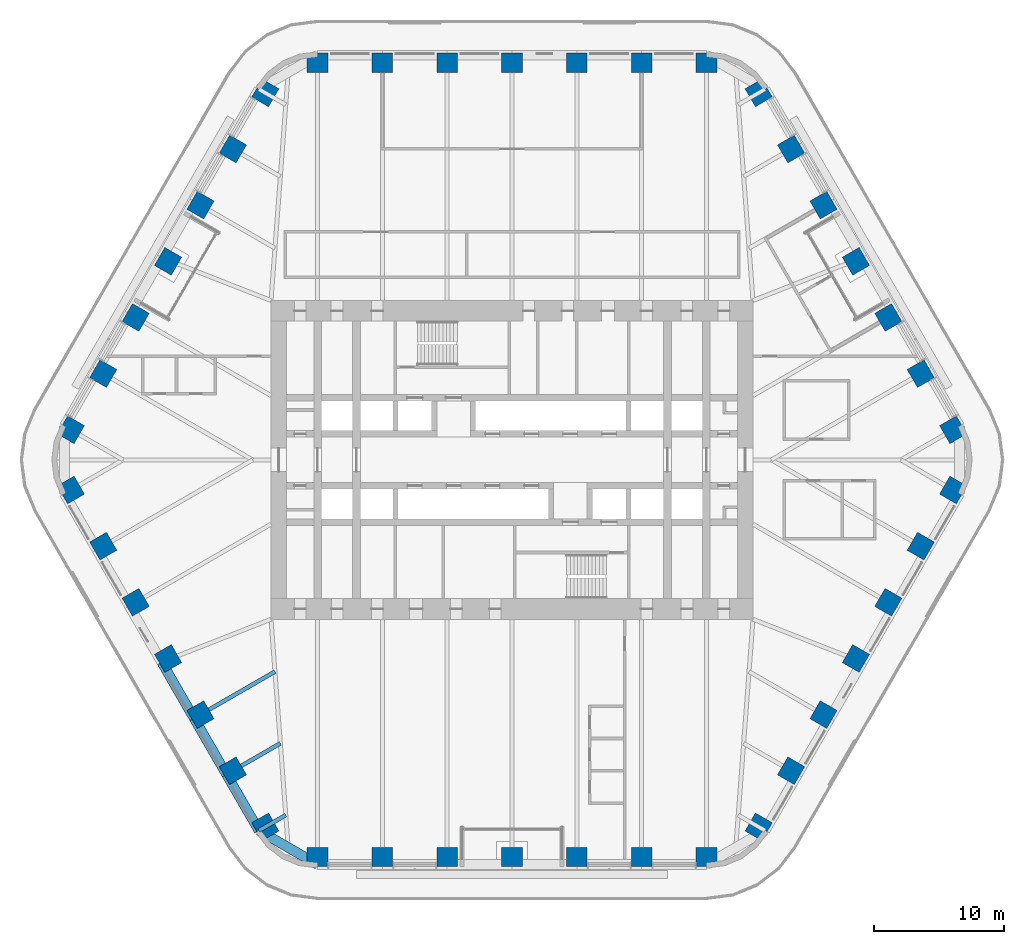
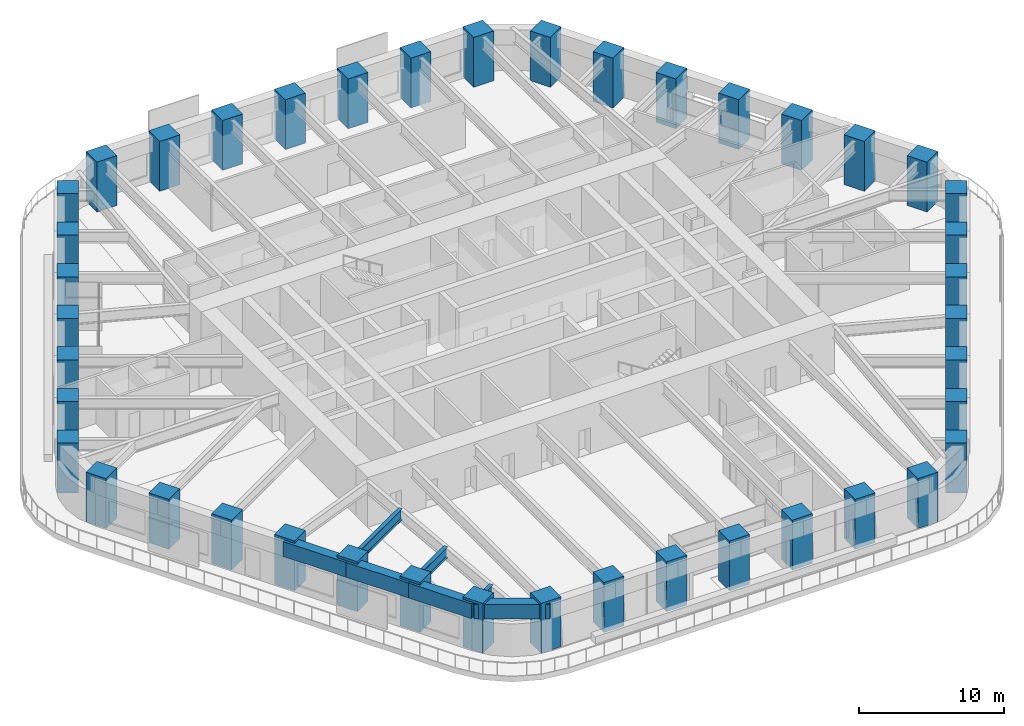
# One storey, part 1 of 24: 42 columns, 7 beams.
"""IFC4 building model written with IfcOpenShell, lengths in metres."""

from ifc_helpers import new_model, si_unit, direction, frame, origin, origin_2d, place, context, subcontext, project, spatial, rectangle, i_section, extrude, material, material_profile, profile_set, type_object, element, save


model = new_model("IFC4")

# Units and contexts
model_context = context("Model", 3, precision=1e-05, world=origin(), true_north=direction((0.0, 1.0)))
body_context = subcontext(model_context, "Body", "Model", "MODEL_VIEW")
ifc_project = project(units=[si_unit("LENGTHUNIT", "METRE"), si_unit("AREAUNIT", "SQUARE_METRE"), si_unit("VOLUMEUNIT", "CUBIC_METRE"), si_unit("PLANEANGLEUNIT", "RADIAN"), si_unit("MASSUNIT", "GRAM", prefix="KILO")], contexts=[model_context])

# Site, building, storey
site_placement = place(None, origin())
site = spatial("IfcSite", under=ifc_project, at=site_placement, CompositionType="ELEMENT")
building_placement = place(site_placement, origin())
building = spatial("IfcBuilding", under=site, at=building_placement, Name="Tarfa Lantern Tower", CompositionType="ELEMENT")
storey_placement = place(building_placement, frame((0.0, 0.0, 144.699951171875)))
storey = spatial("IfcBuildingStorey", under=building, at=storey_placement, Name="L32", CompositionType="ELEMENT", Elevation=144.699951171875)

# Columns
ifc_material_1 = material(Name="Concrete C80/95", Category="concrete")
ifc_material_profile_1 = material_profile(ifc_material_1, rectangle(XDim=1.60009765625, YDim=1.5, at=origin_2d()), Name="RC 1600x1500")
ifc_profile_set_1 = profile_set([ifc_material_profile_1], Name="Concrete C80/95")
column_type = type_object("IfcColumnType", Name="TC6 RC 1600x1500", PredefinedType="COLUMN", material=ifc_profile_set_1)
for number, where, z_axis, x_axis, name in (
    (1, (34.04931640625, 2.324951171875, 0.0), (0.0, 0.0, 1.0), (-0.5, 0.866025403784, 0.0), "Tube column NE0"),
    (2, (31.54736328125, 6.658447265625, 0.0), (0.0, 0.0, 1.0), (-0.5, 0.866025403784, 0.0), "Tube column NE1"),
    (3, (29.04541015625, 10.99169921875, 0.0), (0.0, 0.0, 1.0), (-0.5, 0.866025403784, 0.0), "Tube column NE2"),
    (4, (26.543701171875, 15.324951171875, 0.0), (0.0, 0.0, 1.0), (-0.5, 0.866025403784, 0.0), "Tube column NE3"),
    (5, (24.041748046875, 19.658447265625, 0.0), (0.0, 0.0, 1.0), (-0.5, 0.866025403784, 0.0), "Tube column NE4"),
    (6, (21.5400390625, 23.99169921875, 0.0), (0.0, 0.0, 1.0), (-0.5, 0.866025403784, 0.0), "Tube column NE5"),
    (7, (19.0380859375, 28.324951171875, 0.0), (0.0, 0.0, 1.0), (-0.5, 0.866025403784, 0.0), "Tube column NE6"),
    (8, (15.010986328125, 30.64990234375, 0.0), (0.0, 0.0, 1.0), (-1.0, 0.0, 0.0), "Tube column N0"),
    (9, (10.00732421875, 30.64990234375, 0.0), (0.0, 0.0, 1.0), (-1.0, 0.0, 0.0), "Tube column N1"),
    (10, (5.003662109375, 30.64990234375, 0.0), (0.0, 0.0, 1.0), (-1.0, 0.0, 0.0), "Tube column N2"),
    (11, (0.0, 30.64990234375, 0.0), (0.0, 0.0, 1.0), (-1.0, 0.0, 0.0), "Tube column N3"),
    (12, (-5.003662109375, 30.64990234375, 0.0), (0.0, 0.0, 1.0), (-1.0, 0.0, 0.0), "Tube column N4"),
    (13, (-10.00732421875, 30.64990234375, 0.0), (0.0, 0.0, 1.0), (-1.0, 0.0, 0.0), "Tube column N5"),
    (14, (-15.010986328125, 30.64990234375, 0.0), (0.0, 0.0, 1.0), (-1.0, 0.0, 0.0), "Tube column N6"),
    (15, (-19.0380859375, 28.324951171875, 0.0), (0.0, 0.0, 1.0), (-0.5, -0.866025403784, 0.0), "Tube column NW0"),
    (16, (-21.5400390625, 23.99169921875, 0.0), (0.0, 0.0, 1.0), (-0.5, -0.866025403784, 0.0), "Tube column NW1"),
    (17, (-24.041748046875, 19.658447265625, 0.0), (0.0, 0.0, 1.0), (-0.5, -0.866025403784, 0.0), "Tube column NW2"),
    (18, (-26.543701171875, 15.324951171875, 0.0), (0.0, 0.0, 1.0), (-0.5, -0.866025403784, 0.0), "Tube column NW3"),
    (19, (-29.04541015625, 10.99169921875, 0.0), (0.0, 0.0, 1.0), (-0.5, -0.866025403784, 0.0), "Tube column NW4"),
    (20, (-31.54736328125, 6.658447265625, 0.0), (0.0, 0.0, 1.0), (-0.5, -0.866025403784, 0.0), "Tube column NW5"),
    (21, (-34.04931640625, 2.324951171875, 0.0), (0.0, 0.0, 1.0), (-0.5, -0.866025403784, 0.0), "Tube column NW6"),
    (22, (-34.04931640625, -2.324951171875, 0.0), (0.0, 0.0, 1.0), (0.5, -0.866025403784, 0.0), "Tube column SW0"),
    (23, (-31.54736328125, -6.658447265625, 0.0), (0.0, 0.0, 1.0), (0.5, -0.866025403784, 0.0), "Tube column SW1"),
    (24, (-29.04541015625, -10.99169921875, 0.0), (0.0, 0.0, 1.0), (0.5, -0.866025403784, 0.0), "Tube column SW2"),
    (25, (-26.543701171875, -15.324951171875, 0.0), (0.0, 0.0, 1.0), (0.5, -0.866025403784, 0.0), "Tube column SW3"),
    (26, (-24.041748046875, -19.658447265625, 0.0), (0.0, 0.0, 1.0), (0.5, -0.866025403784, 0.0), "Tube column SW4"),
    (27, (-21.5400390625, -23.99169921875, 0.0), (0.0, 0.0, 1.0), (0.5, -0.866025403784, 0.0), "Tube column SW5"),
    (28, (-19.0380859375, -28.324951171875, 0.0), (0.0, 0.0, 1.0), (0.5, -0.866025403784, 0.0), "Tube column SW6"),
    (29, (-15.010986328125, -30.64990234375, 0.0), (0.0, 0.0, 1.0), (1.0, 0.0, 0.0), "Tube column S0"),
    (30, (-10.00732421875, -30.64990234375, 0.0), (0.0, 0.0, 1.0), (1.0, 0.0, 0.0), "Tube column S1"),
    (31, (-5.003662109375, -30.64990234375, 0.0), (0.0, 0.0, 1.0), (1.0, 0.0, 0.0), "Tube column S2"),
    (32, (0.0, -30.64990234375, 0.0), (0.0, 0.0, 1.0), (1.0, 0.0, 0.0), "Tube column S3"),
    (33, (5.003662109375, -30.64990234375, 0.0), (0.0, 0.0, 1.0), (1.0, 0.0, 0.0), "Tube column S4"),
    (34, (10.00732421875, -30.64990234375, 0.0), (0.0, 0.0, 1.0), (1.0, 0.0, 0.0), "Tube column S5"),
    (35, (15.010986328125, -30.64990234375, 0.0), (0.0, 0.0, 1.0), (1.0, 0.0, 0.0), "Tube column S6"),
    (36, (19.0380859375, -28.324951171875, 0.0), (0.0, 0.0, 1.0), (0.5, 0.866025403784, 0.0), "Tube column SE0"),
    (37, (21.5400390625, -23.99169921875, 0.0), (0.0, 0.0, 1.0), (0.5, 0.866025403784, 0.0), "Tube column SE1"),
    (38, (24.041748046875, -19.658447265625, 0.0), (0.0, 0.0, 1.0), (0.5, 0.866025403784, 0.0), "Tube column SE2"),
    (39, (26.543701171875, -15.324951171875, 0.0), (0.0, 0.0, 1.0), (0.5, 0.866025403784, 0.0), "Tube column SE3"),
    (40, (29.04541015625, -10.99169921875, 0.0), (0.0, 0.0, 1.0), (0.5, 0.866025403784, 0.0), "Tube column SE4"),
    (41, (31.54736328125, -6.658447265625, 0.0), (0.0, 0.0, 1.0), (0.5, 0.866025403784, 0.0), "Tube column SE5"),
    (42, (34.04931640625, -2.324951171875, 0.0), (0.0, 0.0, 1.0), (0.5, 0.866025403784, 0.0), "Tube column SE6"),
):
    element("IfcColumn", number, at=place(storey_placement, frame(where, z_axis=z_axis, x_axis=x_axis)), inside=storey, type_object=column_type, Name=name, PredefinedType="COLUMN", context=body_context, shape_type="SweptSolid", body=[
        extrude(rectangle(XDim=1.60009765625, YDim=1.5, at=origin_2d()), origin(), (0.0, 0.0, 1.0), 4.199951171875),
    ])

# Beams
ifc_material_profile_2 = material_profile(ifc_material_1, rectangle(XDim=0.75, YDim=1.25, at=origin_2d()), Name="RC 750x1250")
ifc_profile_set_2 = profile_set([ifc_material_profile_2], Name="Concrete C80/95")
beam_type_1 = type_object("IfcBeamType", Name="EB2 RC 750x1250", PredefinedType="SPANDREL", material=ifc_profile_set_2)
for number, where, z_axis, x_axis, name in (
    (43, (-27.037353515625, -15.610107421875, 3.375), (0.500022324899, -0.866012514114, 0.0), (0.866012514114, 0.500022324899, 0.0), "Edge beam SW3"),
    (44, (-24.535400390625, -19.943359375, 3.375), (0.49998573051, -0.866033642122, 0.0), (0.866033642122, 0.49998573051, 0.0), "Edge beam SW4"),
):
    element("IfcBeam", number, at=place(storey_placement, frame(where, z_axis=z_axis, x_axis=x_axis)), inside=storey, type_object=beam_type_1, Name=name, PredefinedType="SPANDREL", context=body_context, shape_type="SweptSolid", body=[
        extrude(rectangle(XDim=0.75, YDim=1.25, at=origin_2d()), origin(), (0.0, 0.0, 1.0), 5.003662109375),
    ])
beam_1_placement = place(storey_placement, frame((-22.03369140625, -24.276611328125, 3.375), z_axis=(0.500001197378, -0.866024712477, 0.0), x_axis=(0.866024712477, 0.500001197378, 0.0)))
element("IfcBeam", 45, at=beam_1_placement, inside=storey, type_object=beam_type_1, Name="Edge beam SW5", PredefinedType="SPANDREL", context=body_context, shape_type="SweptSolid", body=[
    extrude(rectangle(XDim=0.75, YDim=1.25, at=origin_2d()), origin(), (0.0, 0.0, 1.0), 5.00390625),
])
beam_2_placement = place(storey_placement, frame((-19.53173828125, -28.610107421875, 3.375), z_axis=(0.86604150238, -0.499972115377, 0.0), x_axis=(0.499972115377, 0.86604150238, 0.0)))
element("IfcBeam", 46, at=beam_2_placement, inside=storey, type_object=beam_type_1, Name="Edge beam SW6", PredefinedType="SPANDREL", context=body_context, shape_type="SweptSolid", body=[
    extrude(rectangle(XDim=0.75, YDim=1.25, at=origin_2d()), origin(), (0.0, 0.0, 1.0), 5.219970703125),
])
ifc_material_2 = material(Name="Steel S460M", Category="steel")
ifc_material_profile_3 = material_profile(ifc_material_2, i_section(OverallWidth=0.305419921875, OverallDepth=0.91845703125, WebThickness=0.017333984375, FlangeThickness=0.02783203125, FilletRadius=0.01904296875, at=origin_2d()), Name="UB914x305x253")
ifc_profile_set_3 = profile_set([ifc_material_profile_3], Name="Steel S460M")
beam_type_2 = type_object("IfcBeamType", Name="UB914x305x253", PredefinedType="BEAM", material=ifc_profile_set_3)
beam_3_placement = place(storey_placement, frame((-24.535400390625, -19.943359375, 3.540771484375), z_axis=(0.86602647304, 0.499998147991, 0.0), x_axis=(-0.499998147991, 0.86602647304, 0.0)))
element("IfcBeam", 47, at=beam_3_placement, inside=storey, type_object=beam_type_2, Name="Floor beam SW4", PredefinedType="BEAM", context=body_context, shape_type="SweptSolid", body=[
    extrude(i_section(OverallWidth=0.305419921875, OverallDepth=0.91845703125, WebThickness=0.017333984375, FlangeThickness=0.02783203125, FilletRadius=0.01904296875, at=origin_2d()), origin(), (0.0, 0.0, 1.0), 7.20556640625),
])
beam_4_placement = place(storey_placement, frame((-22.03369140625, -24.276611328125, 3.540771484375), z_axis=(0.866030550462, 0.499991085587, 0.0), x_axis=(-0.499991085587, 0.866030550462, 0.0)))
element("IfcBeam", 48, at=beam_4_placement, inside=storey, type_object=beam_type_2, Name="Floor beam SW5", PredefinedType="BEAM", context=body_context, shape_type="SweptSolid", body=[
    extrude(i_section(OverallWidth=0.305419921875, OverallDepth=0.91845703125, WebThickness=0.017333984375, FlangeThickness=0.02783203125, FilletRadius=0.01904296875, at=origin_2d()), origin(), (0.0, 0.0, 1.0), 4.798828125),
])
beam_5_placement = place(storey_placement, frame((-19.53173828125, -28.610107421875, 3.540771484375), z_axis=(0.865998640954, 0.500046351717, 0.0), x_axis=(-0.500046351717, 0.865998640954, 0.0)))
element("IfcBeam", 49, at=beam_5_placement, inside=storey, type_object=beam_type_2, Name="Floor beam SW6", PredefinedType="BEAM", context=body_context, shape_type="SweptSolid", body=[
    extrude(i_section(OverallWidth=0.305419921875, OverallDepth=0.91845703125, WebThickness=0.017333984375, FlangeThickness=0.02783203125, FilletRadius=0.01904296875, at=origin_2d()), origin(), (0.0, 0.0, 1.0), 2.392333984375),
])

save(model, "model.ifc")
